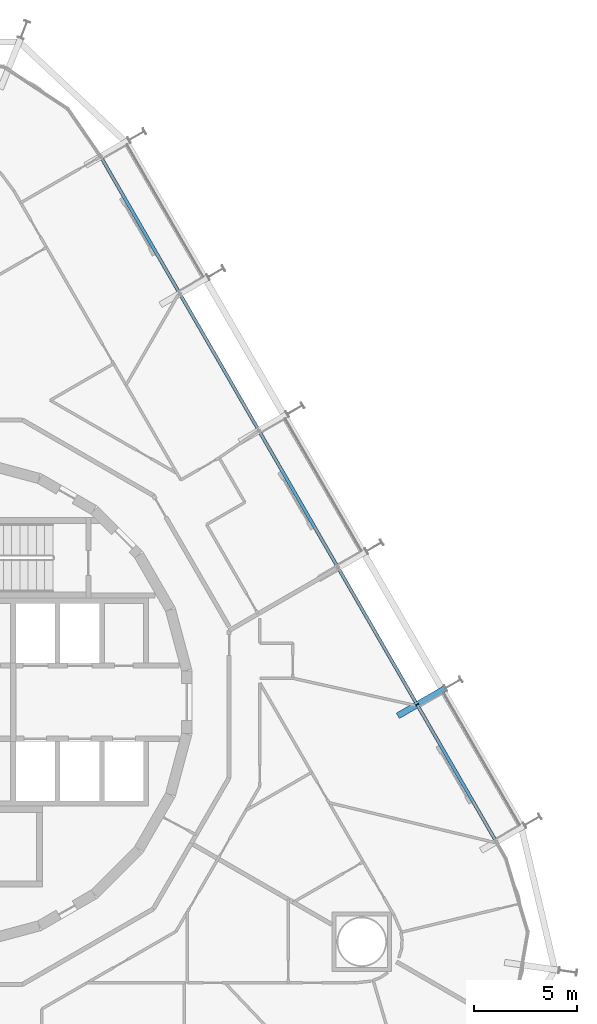
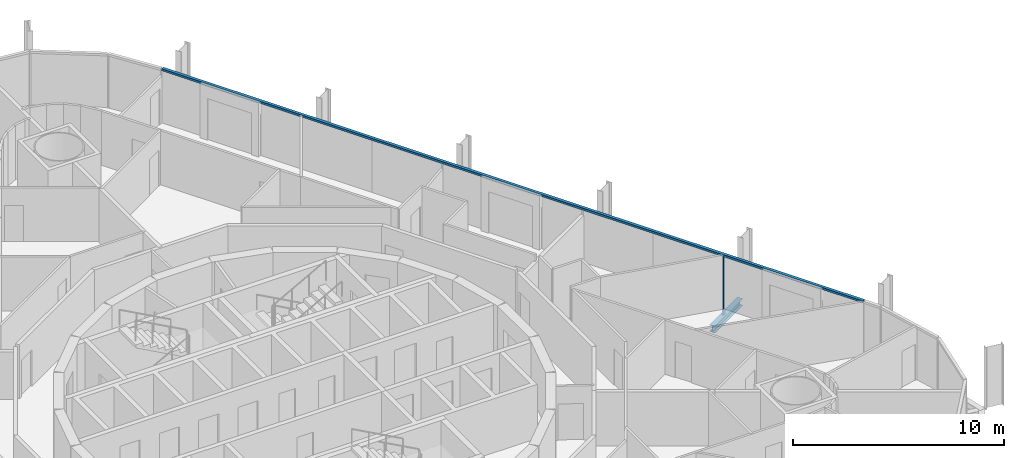
# One storey, part 7 of 21: 2 members, 1 beam, 1 element without a shape of its own.
"""IFC4 building model written with IfcOpenShell, lengths in metres."""

from ifc_helpers import new_model, si_unit, direction, frame, origin, origin_2d, place, context, subcontext, project, spatial, rectangle, i_section, extrude, material, layer, layer_set, material_profile, profile_set, type_object, element, aggregate, save


model = new_model("IFC4")

# Units and contexts
model_context = context("Model", 3, precision=1e-05, world=origin(), true_north=direction((0.0, 1.0)))
body_context = subcontext(model_context, "Body", "Model", "MODEL_VIEW")
ifc_project = project(units=[si_unit("LENGTHUNIT", "METRE"), si_unit("AREAUNIT", "SQUARE_METRE"), si_unit("VOLUMEUNIT", "CUBIC_METRE"), si_unit("PLANEANGLEUNIT", "RADIAN"), si_unit("MASSUNIT", "GRAM", prefix="KILO")], contexts=[model_context])

# Site, building, storey
site_placement = place(None, origin())
site = spatial("IfcSite", under=ifc_project, at=site_placement, CompositionType="ELEMENT")
building_placement = place(site_placement, origin())
building = spatial("IfcBuilding", under=site, at=building_placement, Name="Spindle Arch Residences", CompositionType="ELEMENT")
storey_placement = place(building_placement, frame((0.0, 0.0, 55.89990234375)))
storey = spatial("IfcBuildingStorey", under=building, at=storey_placement, Name="L12", CompositionType="ELEMENT", Elevation=55.89990234375)

# Curtain wall, members
ifc_material_1 = material(Name="Aluminium bronze unitised frame with tinted glass", Category="aluminium")
ifc_layer = layer(ifc_material_1, 0.159912109375)
ifc_layer_set = layer_set([ifc_layer], Name="CW-C typical residential unitised wall")
curtain_wall_type = type_object("IfcCurtainWallType", Name="CW-C typical residential unitised wall", PredefinedType="NOTDEFINED", material=ifc_layer_set)
curtain_wall_placement = place(storey_placement, origin())
curtain_wall = element("IfcCurtainWall", 1, at=curtain_wall_placement, inside=storey, type_object=curtain_wall_type, Name="CW-C L12 run 2", PredefinedType="NOTDEFINED")
ifc_material_2 = material(Name="Aluminium bronze anodised mullion", Category="aluminium")
ifc_material_profile_1 = material_profile(ifc_material_2, rectangle(XDim=0.159912109375, YDim=0.06005859375, at=origin_2d()), Name="MU 60x160")
ifc_profile_set_1 = profile_set([ifc_material_profile_1], Name="Aluminium bronze anodised mullion")
member_type_1 = type_object("IfcMemberType", Name="Bronze mullion 60x160", PredefinedType="MULLION", material=ifc_profile_set_1)
member_1_placement = place(storey_placement, frame((22.829345703125, -0.121826171875, -0.3798828125), z_axis=(0.0, 0.0, 1.0), x_axis=(-0.866025403784, -0.5, 0.0)))
member_1 = element("IfcMember", 2, at=member_1_placement, type_object=member_type_1, Name="CW-C mullion 06", PredefinedType="MULLION", context=body_context, shape_type="SweptSolid", body=[
    extrude(rectangle(XDim=0.159912109375, YDim=0.06005859375, at=origin_2d()), origin(), (0.0, 0.0, 1.0), 3.3798828125),
])
ifc_material_3 = material(Name="Aluminium bronze anodised transom", Category="aluminium")
ifc_material_profile_2 = material_profile(ifc_material_3, rectangle(XDim=0.159912109375, YDim=0.1201171875, at=origin_2d()), Name="TR 120x160")
ifc_profile_set_2 = profile_set([ifc_material_profile_2], Name="Aluminium bronze anodised transom")
member_type_2 = type_object("IfcMemberType", Name="Bronze transom 120x160", PredefinedType="USERDEFINED", material=ifc_profile_set_2)
member_2_placement = place(storey_placement, frame((26.654296875, -6.746826171875, 3.06005859375), z_axis=(-0.50000099666, 0.866024828362, 0.0), x_axis=(-0.866024828362, -0.50000099666, 0.0)))
member_2 = element("IfcMember", 3, at=member_2_placement, type_object=member_type_2, Name="CW-C transom 00", ObjectType="TRANSOM", PredefinedType="USERDEFINED", context=body_context, shape_type="SweptSolid", body=[
    extrude(rectangle(XDim=0.159912109375, YDim=0.1201171875, at=origin_2d()), origin(), (0.0, 0.0, 1.0), 38.34033203125),
])
aggregate(curtain_wall, [member_2, member_1])

# Beam
ifc_material_4 = material(Name="Steel S460ML, intumescent coating R 120", Category="steel")
ifc_material_profile_3 = material_profile(ifc_material_4, i_section(OverallWidth=0.300048828125, OverallDepth=0.389892578125, WebThickness=0.010986328125, FlangeThickness=0.01904296875, FilletRadius=0.027099609375, at=origin_2d()), Name="HEA 400")
ifc_profile_set_3 = profile_set([ifc_material_profile_3], Name="Steel S460ML, intumescent coating R 120")
beam_type = type_object("IfcBeamType", Name="Floor outrigger HEA 400", PredefinedType="BEAM", material=ifc_profile_set_3)
beam_placement = place(storey_placement, frame((24.18896484375, 0.6630859375, -0.574951171875), z_axis=(-0.866029095148, -0.499993606316, 0.0), x_axis=(0.499993606316, -0.866029095148, 0.0)))
element("IfcBeam", 4, at=beam_placement, inside=storey, type_object=beam_type, Name="Floor outrigger 7", PredefinedType="BEAM", context=body_context, shape_type="SweptSolid", body=[
    extrude(i_section(OverallWidth=0.300048828125, OverallDepth=0.389892578125, WebThickness=0.010986328125, FlangeThickness=0.01904296875, FilletRadius=0.027099609375, at=origin_2d()), origin(), (0.0, 0.0, 1.0), 2.64990234375),
])

save(model, "model.ifc")
